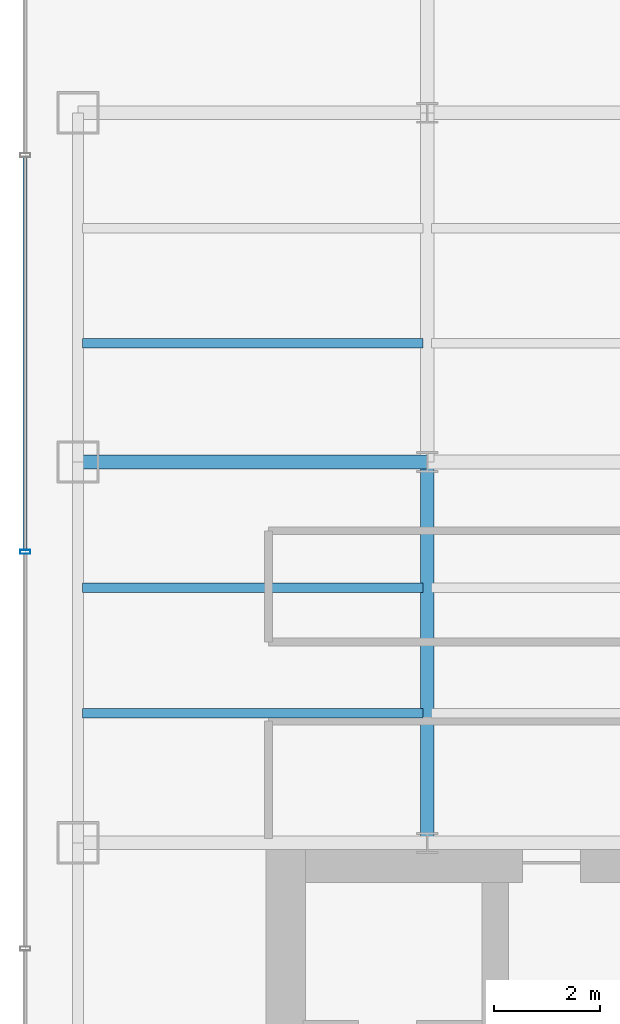
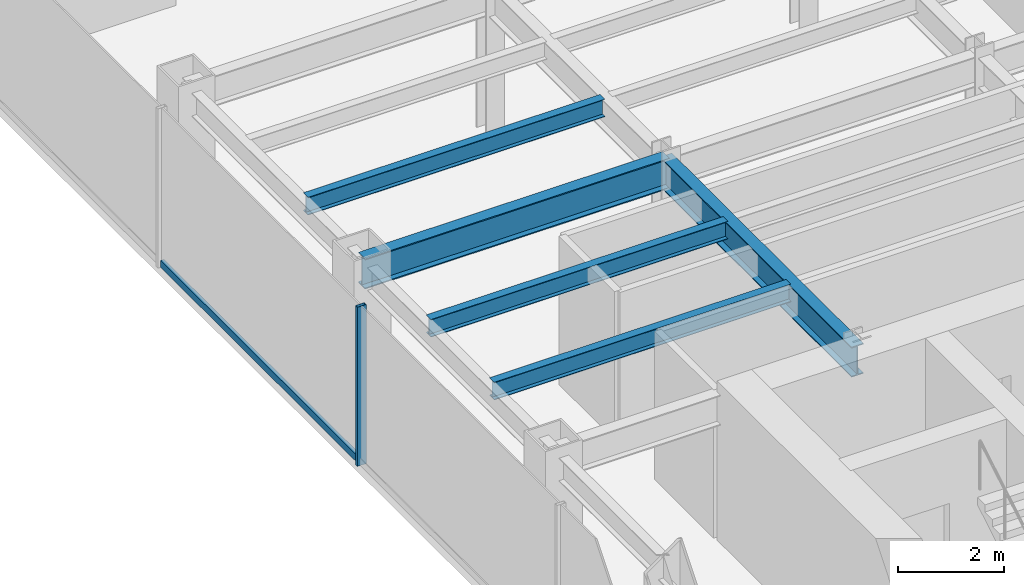
# One storey, part 4 of 26: 5 beams, 2 members, 1 element without a shape of its own.
"""IFC4 building model written with IfcOpenShell, lengths in metres."""

from ifc_helpers import new_model, si_unit, derived_unit, direction, frame, origin, origin_2d, place, context, subcontext, project, spatial, hollow_rectangle, i_section, extrude, source, transform, mapped, material, material_profile, profile_set, type_object, element, aggregate, save


model = new_model("IFC4")

# Units and contexts
model_context = context("Model", 3, precision=1e-05, world=origin(), true_north=direction((0.0, 1.0)))
body_context = subcontext(model_context, "Body", "Model", "MODEL_VIEW")
ifc_project = project(units=[si_unit("LENGTHUNIT", "METRE"), si_unit("AREAUNIT", "SQUARE_METRE"), si_unit("VOLUMEUNIT", "CUBIC_METRE"), si_unit("PLANEANGLEUNIT", "RADIAN"), si_unit("MASSUNIT", "GRAM", prefix="KILO"), derived_unit("THERMALTRANSMITTANCEUNIT", [(si_unit("POWERUNIT", "WATT"), 1), (si_unit("LENGTHUNIT", "METRE"), -2), (si_unit("THERMODYNAMICTEMPERATUREUNIT", "KELVIN"), -1)])], contexts=[model_context])

# Site, building, storey
site_placement = place(None, origin())
site = spatial("IfcSite", under=ifc_project, at=site_placement, CompositionType="ELEMENT")
building_placement = place(site_placement, origin())
building = spatial("IfcBuilding", under=site, at=building_placement, Name="Skarnbrae Concourse Arena and Tower", CompositionType="ELEMENT")
storey_placement = place(building_placement, frame((0.0, 0.0, 95.949951171875)))
storey = spatial("IfcBuildingStorey", under=building, at=storey_placement, Name="L23", CompositionType="ELEMENT", Elevation=95.949951171875)

# Beams
ifc_material_1 = material(Name="Steel CSA G40.21 350W", Category="steel")
ifc_material_profile_1 = material_profile(ifc_material_1, i_section(OverallWidth=0.256103515625, OverallDepth=0.693115234375, WebThickness=0.014404296875, FlangeThickness=0.023681640625, at=origin_2d()), Name="W690X170")
ifc_profile_set_1 = profile_set([ifc_material_profile_1], Name="Steel CSA G40.21 350W")
beam_type_1 = type_object("IfcBeamType", Name="BM-GIRD-W690X170", PredefinedType="BEAM", material=ifc_profile_set_1)
shared_shape_1 = source(origin(), body_context, "Body", "SweptSolid", [
    extrude(i_section(OverallWidth=0.256103515625, OverallDepth=0.693115234375, WebThickness=0.014404296875, FlangeThickness=0.023681640625, at=origin_2d()), origin(), (0.0, 0.0, 1.0), 6.60009765625),
])
beam_1_placement = place(storey_placement, frame((1.0, 21.199951171875, 3.053466796875), z_axis=(1.0, 0.0, 0.0), x_axis=(0.0, 1.0, 0.0)))
element("IfcBeam", 1, at=beam_1_placement, inside=storey, type_object=beam_type_1, Name="L23 Primary E-W girder Y21.2-1", PredefinedType="BEAM", context=body_context, shape_type="MappedRepresentation", body=[
    mapped(shared_shape_1, transform((0.0, 0.0, 0.0))),
])
shared_shape_2 = source(origin(), body_context, "Body", "SweptSolid", [
    extrude(i_section(OverallWidth=0.256103515625, OverallDepth=0.693115234375, WebThickness=0.014404296875, FlangeThickness=0.023681640625, at=origin_2d()), origin(), (0.0, 0.0, 1.0), 7.199951171875),
])
beam_2_placement = place(storey_placement, frame((7.60009765625, 14.0, 3.053466796875), z_axis=(0.0, 1.0, 0.0), x_axis=(-1.0, 0.0, 0.0)))
element("IfcBeam", 2, at=beam_2_placement, inside=storey, type_object=beam_type_1, Name="L23 Primary N-S girder X7.6-1", PredefinedType="BEAM", context=body_context, shape_type="MappedRepresentation", body=[
    mapped(shared_shape_2, transform((0.0, 0.0, 0.0))),
])
ifc_material_profile_2 = material_profile(ifc_material_1, i_section(OverallWidth=0.177978515625, OverallDepth=0.406982421875, WebThickness=0.0078125, FlangeThickness=0.0126953125, at=origin_2d()), Name="W410X60")
ifc_profile_set_2 = profile_set([ifc_material_profile_2], Name="Steel CSA G40.21 350W")
beam_type_2 = type_object("IfcBeamType", Name="BM-JOIST-W410X60", PredefinedType="JOIST", material=ifc_profile_set_2)
shared_shape_3 = source(origin(), body_context, "Body", "SweptSolid", [
    extrude(i_section(OverallWidth=0.177978515625, OverallDepth=0.406982421875, WebThickness=0.0078125, FlangeThickness=0.0126953125, at=origin_2d()), origin(), (0.0, 0.0, 1.0), 6.43994140625),
])
for number, where, z_axis, x_axis, name in (
    (3, (1.080078125, 16.447998046875, 3.196533203125), (1.0, 0.0, 0.0), (0.0, 1.0, 0.0), "L23 Secondary floor joist 1.1.1"),
    (4, (1.080078125, 18.823974609375, 3.196533203125), (1.0, 0.0, 0.0), (0.0, 1.0, 0.0), "L23 Secondary floor joist 1.2.1"),
    (5, (1.080078125, 23.444091796875, 3.196533203125), (1.0, 0.0, 0.0), (0.0, 1.0, 0.0), "L23 Secondary floor joist 2.1.1"),
):
    element("IfcBeam", number, at=place(storey_placement, frame(where, z_axis=z_axis, x_axis=x_axis)), inside=storey, type_object=beam_type_2, Name=name, PredefinedType="JOIST", context=body_context, shape_type="MappedRepresentation", body=[
        mapped(shared_shape_3, transform((0.0, 0.0, 0.0))),
    ])

# Curtain wall, members
ifc_material_2 = material(Name="Bronze anodised aluminium 6063-T6", Category="aluminium")
curtain_wall_type = type_object("IfcCurtainWallType", Name="CW-SYS-04-MIDZONE", PredefinedType="USERDEFINED", material=ifc_material_2)
curtain_wall_placement = place(storey_placement, origin())
curtain_wall = element("IfcCurtainWall", 6, at=curtain_wall_placement, inside=storey, type_object=curtain_wall_type, Name="L23 Unitised curtain wall CW-L23-E19", ObjectType="UNITISED CURTAIN WALL", PredefinedType="USERDEFINED")
ifc_material_profile_3 = material_profile(ifc_material_2, hollow_rectangle(XDim=0.074951171875, YDim=0.195068359375, WallThickness=0.00439453125, at=origin_2d()), Name="ALU-MULL-75X195")
ifc_profile_set_3 = profile_set([ifc_material_profile_3], Name="Bronze anodised aluminium 6063-T6")
member_type_1 = type_object("IfcMemberType", Name="CWM-CW-04", PredefinedType="MULLION", material=ifc_profile_set_3)
shared_shape_4 = source(origin(), body_context, "Body", "SweptSolid", [
    extrude(hollow_rectangle(XDim=0.074951171875, YDim=0.195068359375, WallThickness=0.00439453125, at=origin_2d()), origin(), (0.0, 0.0, 1.0), 3.650146484375),
])
member_1_placement = place(storey_placement, frame((0.0, 19.5, 0.0), z_axis=(0.0, 0.0, 1.0), x_axis=(0.0, -1.0, 0.0)))
member_1 = element("IfcMember", 7, at=member_1_placement, type_object=member_type_1, Name="CW-L23-E19 Mullion 3", PredefinedType="MULLION", context=body_context, shape_type="MappedRepresentation", body=[
    mapped(shared_shape_4, transform((0.0, 0.0, 0.0))),
])
ifc_material_profile_4 = material_profile(ifc_material_2, hollow_rectangle(XDim=0.074951171875, YDim=0.159912109375, WallThickness=0.00439453125, at=origin_2d()), Name="ALU-TRAN-75X160")
ifc_profile_set_4 = profile_set([ifc_material_profile_4], Name="Bronze anodised aluminium 6063-T6")
member_type_2 = type_object("IfcMemberType", Name="CWT-CW-04", PredefinedType="USERDEFINED", material=ifc_profile_set_4)
shared_shape_5 = source(origin(), body_context, "Body", "SweptSolid", [
    extrude(hollow_rectangle(XDim=0.074951171875, YDim=0.159912109375, WallThickness=0.00439453125, at=origin_2d()), origin(), (0.0, 0.0, 1.0), 7.4248046875),
])
member_2_placement = place(storey_placement, frame((0.0, 26.96240234375, 0.080078125), z_axis=(0.0, -1.0, 0.0), x_axis=(1.0, 0.0, 0.0)))
member_2 = element("IfcMember", 8, at=member_2_placement, type_object=member_type_2, Name="CW-L23-E19 Transom 2", ObjectType="TRANSOM", PredefinedType="USERDEFINED", context=body_context, shape_type="MappedRepresentation", body=[
    mapped(shared_shape_5, transform((0.0, 0.0, 0.0))),
])
aggregate(curtain_wall, [member_1, member_2])

save(model, "model.ifc")
